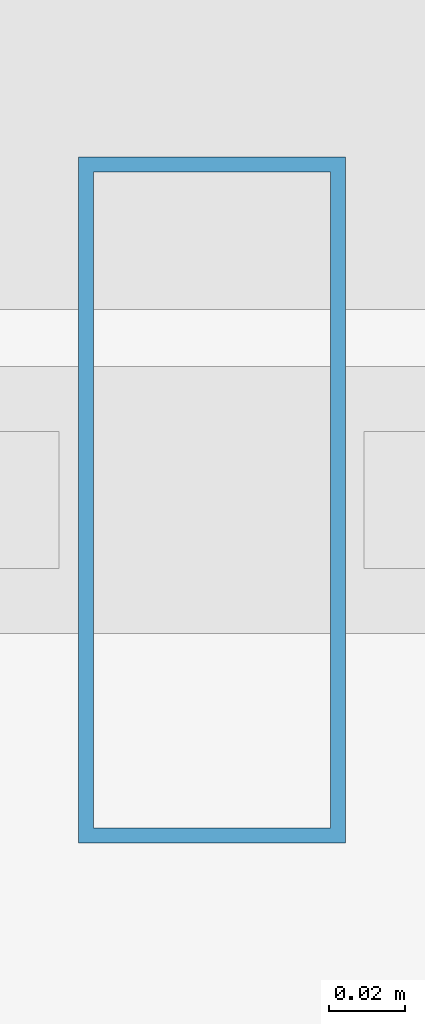
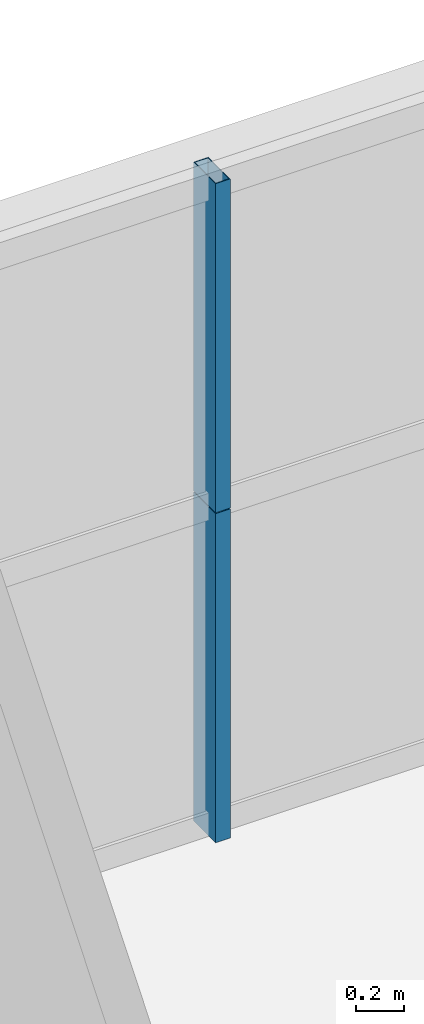
# One storey, part 35 of 43: 2 members, 1 element without a shape of its own.
"""IFC4 building model written with IfcOpenShell, lengths in metres."""

from ifc_helpers import new_model, si_unit, direction, frame, origin, origin_2d, place, context, subcontext, project, spatial, hollow_rectangle, extrude, source, transform, mapped, material, layer, layer_set, material_profile, profile_set, type_object, element, aggregate, save


model = new_model("IFC4")

# Units and contexts
model_context = context("Model", 3, precision=1e-05, world=origin(), true_north=direction((0.0, 1.0)))
body_context = subcontext(model_context, "Body", "Model", "MODEL_VIEW")
ifc_project = project(units=[si_unit("LENGTHUNIT", "METRE"), si_unit("AREAUNIT", "SQUARE_METRE"), si_unit("VOLUMEUNIT", "CUBIC_METRE"), si_unit("PLANEANGLEUNIT", "RADIAN"), si_unit("MASSUNIT", "GRAM", prefix="KILO"), si_unit("THERMODYNAMICTEMPERATUREUNIT", "KELVIN"), si_unit("POWERUNIT", "WATT")], contexts=[model_context])

# Site, building, storey
site_placement = place(None, origin())
site = spatial("IfcSite", under=ifc_project, at=site_placement, CompositionType="ELEMENT")
building_placement = place(site_placement, origin())
building = spatial("IfcBuilding", under=site, at=building_placement, Name="Yuzanri Waterfront Tower", CompositionType="ELEMENT")
storey_placement = place(building_placement, frame((0.0, 0.0, 37.800048828125)))
storey = spatial("IfcBuildingStorey", under=building, at=storey_placement, Name="L09", CompositionType="ELEMENT", Elevation=37.800048828125)

# Curtain wall, members
ifc_material_1 = material(Name="Anodized Architectural Bronze", Category="metal")
ifc_layer = layer(ifc_material_1, 0.159912109375)
ifc_layer_set = layer_set([ifc_layer], Name="Anodized Architectural Bronze")
curtain_wall_type = type_object("IfcCurtainWallType", Name="Anodized Bronze Hotel Lower-Tier Recessed Unitized Curtain Wall 8100", PredefinedType="NOTDEFINED", material=ifc_layer_set)
curtain_wall_placement = place(storey_placement, origin())
curtain_wall = element("IfcCurtainWall", 1, at=curtain_wall_placement, inside=storey, type_object=curtain_wall_type, Name="L09 Curtain Wall CW-L09-NR", PredefinedType="NOTDEFINED")
ifc_material_2 = material(Name="Anodized Architectural Bronze", Category="metal")
ifc_material_profile = material_profile(ifc_material_2, hollow_rectangle(XDim=0.070068359375, YDim=0.179931640625, WallThickness=0.00390625, at=origin_2d()), Name="CWM 70x180")
ifc_profile_set = profile_set([ifc_material_profile], Name="Anodized Architectural Bronze")
member_type = type_object("IfcMemberType", Name="Anodized Bronze Standard Curtain-Wall Mullion 70x180", PredefinedType="MULLION", material=ifc_profile_set)
shared_shape_1 = source(origin(), body_context, "Body", "SweptSolid", [
    extrude(hollow_rectangle(XDim=0.070068359375, YDim=0.179931640625, WallThickness=0.00390625, at=origin_2d()), origin(), (0.0, 0.0, 1.0), 1.657958984375),
])
member_1_placement = place(storey_placement, frame((46.10009765625, 50.75, 0.0), z_axis=(0.0, 0.0, 1.0), x_axis=(1.0, 0.0, 0.0)))
member_1 = element("IfcMember", 2, at=member_1_placement, type_object=member_type, Name="CW-L09-NR Lower Mullion 01", PredefinedType="MULLION", context=body_context, shape_type="MappedRepresentation", body=[
    mapped(shared_shape_1, transform((0.0, 0.0, 0.0), scale=1.0)),
])
shared_shape_2 = source(origin(), body_context, "Body", "SweptSolid", [
    extrude(hollow_rectangle(XDim=0.070068359375, YDim=0.179931640625, WallThickness=0.00390625, at=origin_2d()), origin(), (0.0, 0.0, 1.0), 1.658203125),
])
member_2_placement = place(storey_placement, frame((46.10009765625, 50.75, 1.661865234375), z_axis=(0.0, 0.0, 1.0), x_axis=(1.0, 0.0, 0.0)))
member_2 = element("IfcMember", 3, at=member_2_placement, type_object=member_type, Name="CW-L09-NR Upper Mullion 01", PredefinedType="MULLION", context=body_context, shape_type="MappedRepresentation", body=[
    mapped(shared_shape_2, transform((0.0, 0.0, 0.0), scale=1.0)),
])
aggregate(curtain_wall, [member_1, member_2])

save(model, "model.ifc")
